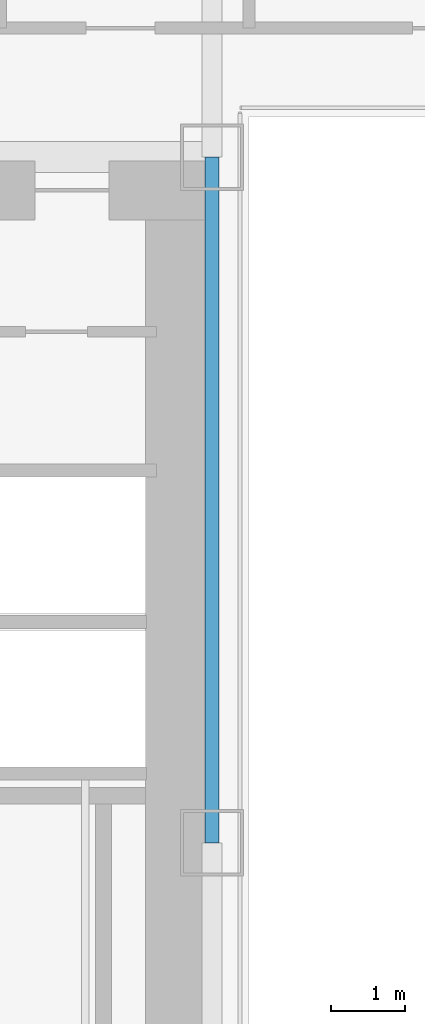
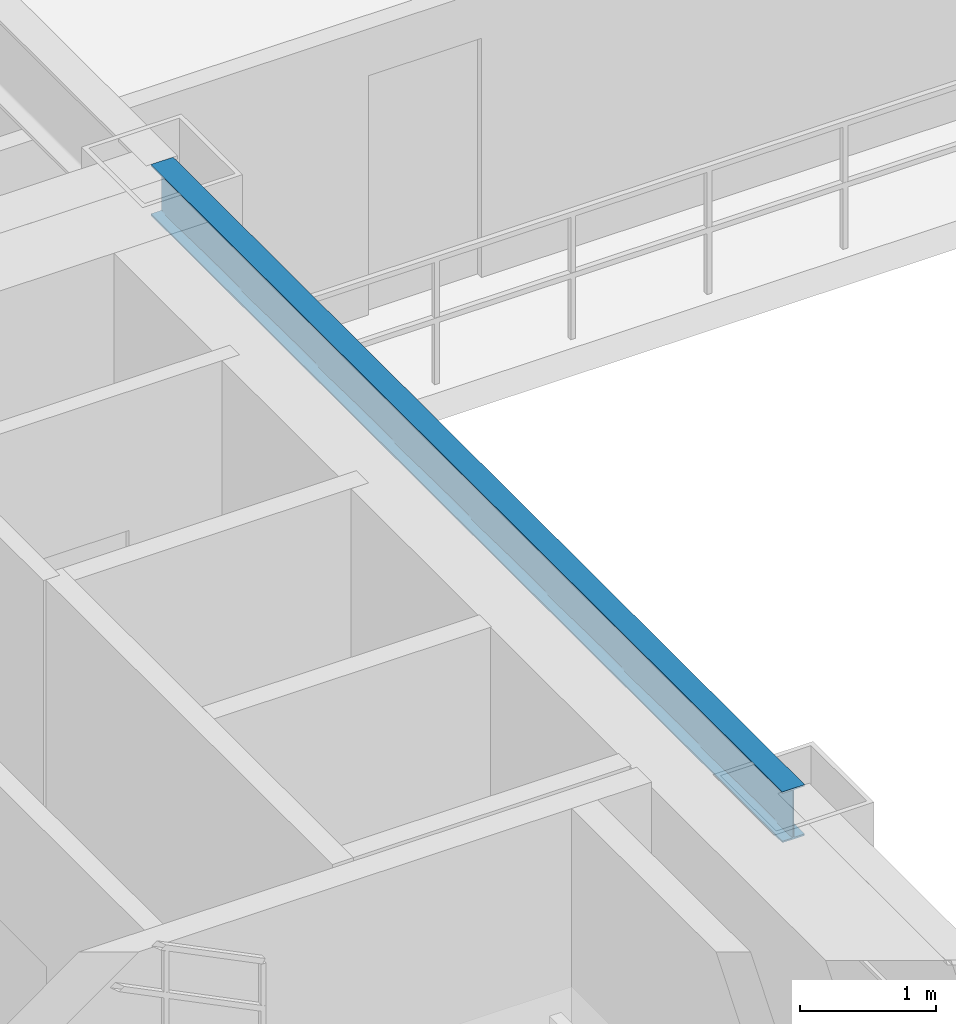
# One storey, part 9 of 38: 1 beam.
"""IFC4 building model written with IfcOpenShell, lengths in metres."""

from ifc_helpers import new_model, si_unit, direction, frame, origin, origin_2d, place, context, subcontext, project, spatial, i_section, extrude, source, transform, mapped, material, material_profile, profile_set, type_object, element, save


model = new_model("IFC4")

# Units and contexts
model_context = context("Model", 3, precision=1e-05, world=origin(), true_north=direction((0.0, 1.0)))
body_context = subcontext(model_context, "Body", "Model", "MODEL_VIEW")
ifc_project = project(units=[si_unit("LENGTHUNIT", "METRE"), si_unit("AREAUNIT", "SQUARE_METRE"), si_unit("VOLUMEUNIT", "CUBIC_METRE"), si_unit("PLANEANGLEUNIT", "RADIAN"), si_unit("MASSUNIT", "GRAM", prefix="KILO")], contexts=[model_context])

# Site, building, storey
site_placement = place(None, origin())
site = spatial("IfcSite", under=ifc_project, at=site_placement, CompositionType="ELEMENT")
building_placement = place(site_placement, origin())
building = spatial("IfcBuilding", under=site, at=building_placement, Name="Ocotamira Hotel", CompositionType="ELEMENT")
storey_placement = place(building_placement, frame((0.0, 0.0, 74.39990234375)))
storey = spatial("IfcBuildingStorey", under=building, at=storey_placement, Name="L18", CompositionType="ELEMENT", Elevation=74.39990234375)

# Beam
ifc_material = material(Name="Steel ASTM A992 Grade 50", Category="steel")
ifc_material_profile = material_profile(ifc_material, i_section(OverallWidth=0.18994140625, OverallDepth=0.45703125, WebThickness=0.009033203125, FlangeThickness=0.014404296875, FilletRadius=0.010009765625, at=origin_2d()), Name="W18X50")
ifc_profile_set = profile_set([ifc_material_profile], Name="Steel ASTM A992 Grade 50")
beam_type = type_object("IfcBeamType", Name="BM-SEC-W18X50", PredefinedType="JOIST", material=ifc_profile_set)
shared_shape = source(origin(), body_context, "Body", "SweptSolid", [
    extrude(i_section(OverallWidth=0.18994140625, OverallDepth=0.45703125, WebThickness=0.009033203125, FlangeThickness=0.014404296875, FilletRadius=0.010009765625, at=origin_2d()), origin(), (0.0, 0.0, 1.0), 9.300048828125),
])
beam_placement = place(storey_placement, frame((23.5, 28.14990234375, 3.12158203125), z_axis=(0.0, 1.0, 0.0), x_axis=(-1.0, 0.0, 0.0)))
element("IfcBeam", 1, at=beam_placement, inside=storey, type_object=beam_type, Name="L18 Beam X23.5 Y28.15-37.45", PredefinedType="JOIST", context=body_context, shape_type="MappedRepresentation", body=[
    mapped(shared_shape, transform((0.0, 0.0, 0.0), scale=1.0)),
])

save(model, "model.ifc")
